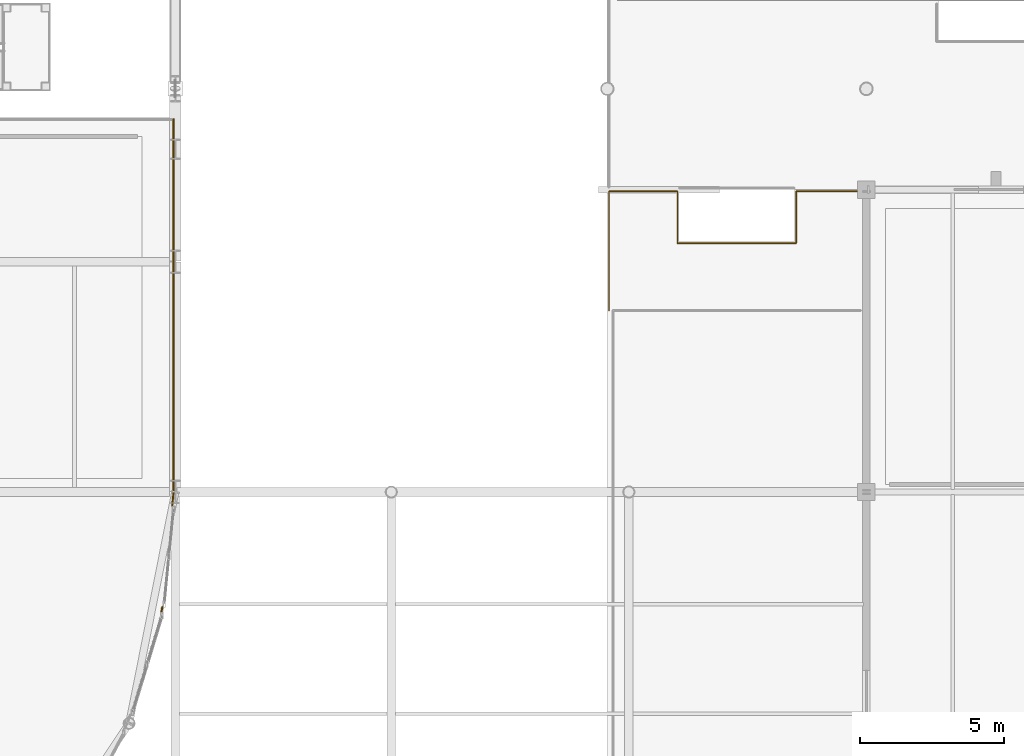
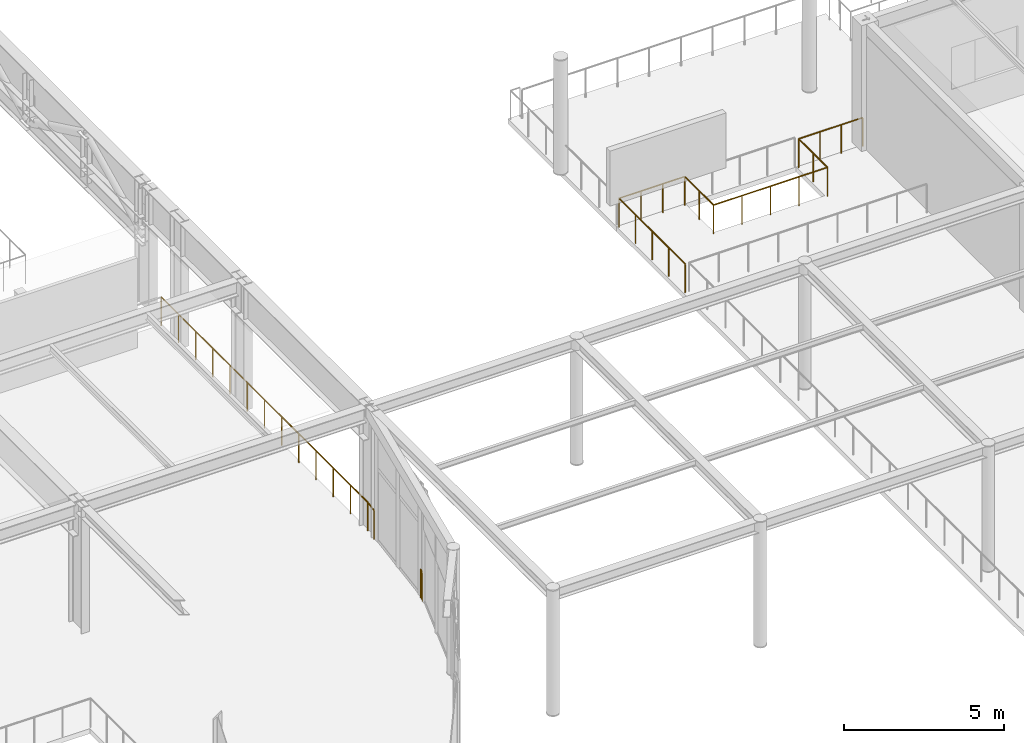
# One storey, part 133 of 143: 3 railings.
"""IFC4 building model written with IfcOpenShell, lengths in metres."""

from ifc_helpers import new_model, si_unit, direction, frame, origin, origin_2d, place, context, subcontext, project, spatial, circle, extrude, material, type_object, element, save


model = new_model("IFC4")

# Units and contexts
model_context = context("Model", 3, precision=1e-05, world=origin(), true_north=direction((0.0, 1.0)))
body_context = subcontext(model_context, "Body", "Model", "MODEL_VIEW")
ifc_project = project(units=[si_unit("LENGTHUNIT", "METRE"), si_unit("AREAUNIT", "SQUARE_METRE"), si_unit("VOLUMEUNIT", "CUBIC_METRE"), si_unit("PLANEANGLEUNIT", "RADIAN"), si_unit("MASSUNIT", "GRAM", prefix="KILO")], contexts=[model_context])

# Site, building, storey
site_placement = place(None, origin())
site = spatial("IfcSite", under=ifc_project, at=site_placement, CompositionType="ELEMENT")
building_placement = place(site_placement, origin())
building = spatial("IfcBuilding", under=site, at=building_placement, Name="Marlcrest Central Station", CompositionType="ELEMENT")
storey_placement = place(building_placement, frame((0.0, 0.0, 4.800048828125)))
storey = spatial("IfcBuildingStorey", under=building, at=storey_placement, Name="L01", CompositionType="ELEMENT", Elevation=4.800048828125)

# Railings
ifc_material = material(Name="Stainless steel and laminated glass concourse balustrade", Category="steel")
railing_type = type_object("IfcRailingType", Name="GR-02", PredefinedType="BALUSTRADE", material=ifc_material)
railing_1_placement = place(storey_placement, frame((144.06005859375, 28.800048828125, 0.0)))
element("IfcRailing", 1, at=railing_1_placement, inside=storey, type_object=railing_type, Name="hr-L01-00337", PredefinedType="BALUSTRADE", context=body_context, shape_type="SweptSolid", body=[
    extrude(circle(Radius=0.02392578125, at=origin_2d()), frame((0.0, 0.0, 1.09619140625), z_axis=(0.0, 1.0, 0.0), x_axis=(-1.0, 0.0, 0.0)), (0.0, 0.0, 1.0), 4.139892578125),
    extrude(circle(Radius=0.02392578125, at=origin_2d()), frame((0.0, 4.139892578125, 1.09619140625), z_axis=(1.0, 0.0, 0.0), x_axis=(0.0, 1.0, 0.0)), (0.0, 0.0, 1.0), 2.3798828125),
    extrude(circle(Radius=0.02392578125, at=origin_2d()), frame((2.3798828125, 4.139892578125, 1.09619140625), z_axis=(0.0, -1.0, 0.0), x_axis=(1.0, 0.0, 0.0)), (0.0, 0.0, 1.0), 1.800048828125),
    extrude(circle(Radius=0.02392578125, at=origin_2d()), frame((2.3798828125, 2.33984375, 1.09619140625), z_axis=(1.0, 0.0, 0.0), x_axis=(0.0, 1.0, 0.0)), (0.0, 0.0, 1.0), 4.1201171875),
    extrude(circle(Radius=0.02392578125, at=origin_2d()), frame((6.5, 2.33984375, 1.09619140625), z_axis=(0.0, 1.0, 0.0), x_axis=(-1.0, 0.0, 0.0)), (0.0, 0.0, 1.0), 1.800048828125),
    extrude(circle(Radius=0.02392578125, at=origin_2d()), frame((6.5, 4.139892578125, 1.09619140625), z_axis=(1.0, 0.0, 0.0), x_axis=(0.0, 1.0, 0.0)), (0.0, 0.0, 1.0), 2.31689453125),
    extrude(circle(Radius=0.02099609375, at=origin_2d()), origin(), (0.0, 0.0, 1.0), 1.072021484375),
    extrude(circle(Radius=0.02099609375, at=origin_2d()), frame((0.0, 1.034912109375, 0.0)), (0.0, 0.0, 1.0), 1.072021484375),
    extrude(circle(Radius=0.02099609375, at=origin_2d()), frame((0.0, 2.06982421875, 0.0)), (0.0, 0.0, 1.0), 1.072021484375),
    extrude(circle(Radius=0.02099609375, at=origin_2d()), frame((0.0, 3.10498046875, 0.0)), (0.0, 0.0, 1.0), 1.072021484375),
    extrude(circle(Radius=0.02099609375, at=origin_2d()), frame((0.0, 4.139892578125, 0.0)), (0.0, 0.0, 1.0), 1.072021484375),
    extrude(circle(Radius=0.02099609375, at=origin_2d()), frame((0.793212890625, 4.139892578125, 0.0)), (0.0, 0.0, 1.0), 1.072021484375),
    extrude(circle(Radius=0.02099609375, at=origin_2d()), frame((1.586669921875, 4.139892578125, 0.0)), (0.0, 0.0, 1.0), 1.072021484375),
    extrude(circle(Radius=0.02099609375, at=origin_2d()), frame((2.3798828125, 4.139892578125, 0.0)), (0.0, 0.0, 1.0), 1.072021484375),
    extrude(circle(Radius=0.02099609375, at=origin_2d()), frame((2.3798828125, 3.23974609375, 0.0)), (0.0, 0.0, 1.0), 1.072021484375),
    extrude(circle(Radius=0.02099609375, at=origin_2d()), frame((2.3798828125, 2.33984375, 0.0)), (0.0, 0.0, 1.0), 1.072021484375),
    extrude(circle(Radius=0.02099609375, at=origin_2d()), frame((3.409912109375, 2.33984375, 0.0)), (0.0, 0.0, 1.0), 1.072021484375),
    extrude(circle(Radius=0.02099609375, at=origin_2d()), frame((4.43994140625, 2.33984375, 0.0)), (0.0, 0.0, 1.0), 1.072021484375),
    extrude(circle(Radius=0.02099609375, at=origin_2d()), frame((5.469970703125, 2.33984375, 0.0)), (0.0, 0.0, 1.0), 1.072021484375),
    extrude(circle(Radius=0.02099609375, at=origin_2d()), frame((6.5, 2.33984375, 0.0)), (0.0, 0.0, 1.0), 1.072021484375),
    extrude(circle(Radius=0.02099609375, at=origin_2d()), frame((6.5, 3.23974609375, 0.0)), (0.0, 0.0, 1.0), 1.072021484375),
    extrude(circle(Radius=0.02099609375, at=origin_2d()), frame((6.5, 4.139892578125, 0.0)), (0.0, 0.0, 1.0), 1.072021484375),
    extrude(circle(Radius=0.02099609375, at=origin_2d()), frame((7.272216796875, 4.139892578125, 0.0)), (0.0, 0.0, 1.0), 1.072021484375),
    extrude(circle(Radius=0.02099609375, at=origin_2d()), frame((8.044677734375, 4.139892578125, 0.0)), (0.0, 0.0, 1.0), 1.072021484375),
    extrude(circle(Radius=0.02099609375, at=origin_2d()), frame((8.81689453125, 4.139892578125, 0.0)), (0.0, 0.0, 1.0), 1.072021484375),
])
railing_2_placement = place(storey_placement, frame((128.93994140625, 35.43994140625, 0.0)))
element("IfcRailing", 2, at=railing_2_placement, inside=storey, type_object=railing_type, Name="hr-L01-00404", PredefinedType="BALUSTRADE", context=body_context, shape_type="SweptSolid", body=[
    extrude(circle(Radius=0.02392578125, at=origin_2d()), frame((0.0, 0.0, 1.09619140625), z_axis=(0.0, -1.0, 0.0), x_axis=(1.0, 0.0, 0.0)), (0.0, 0.0, 1.0), 12.93701171875),
    extrude(circle(Radius=0.02392578125, at=origin_2d()), frame((0.0, -12.93701171875, 1.09619140625), z_axis=(-0.098213699968, -0.995165347638, 0.0), x_axis=(0.995165347638, -0.098213699968, 0.0)), (0.0, 0.0, 1.0), 0.4873046875),
    extrude(circle(Radius=0.02099609375, at=origin_2d()), origin(), (0.0, 0.0, 1.0), 1.072021484375),
    extrude(circle(Radius=0.02099609375, at=origin_2d()), frame((0.0, -1.078125, 0.0)), (0.0, 0.0, 1.0), 1.072021484375),
    extrude(circle(Radius=0.02099609375, at=origin_2d()), frame((0.0, -2.15625, 0.0)), (0.0, 0.0, 1.0), 1.072021484375),
    extrude(circle(Radius=0.02099609375, at=origin_2d()), frame((0.0, -3.234375, 0.0)), (0.0, 0.0, 1.0), 1.072021484375),
    extrude(circle(Radius=0.02099609375, at=origin_2d()), frame((0.0, -4.312255859375, 0.0)), (0.0, 0.0, 1.0), 1.072021484375),
    extrude(circle(Radius=0.02099609375, at=origin_2d()), frame((0.0, -5.390380859375, 0.0)), (0.0, 0.0, 1.0), 1.072021484375),
    extrude(circle(Radius=0.02099609375, at=origin_2d()), frame((0.0, -6.468505859375, 0.0)), (0.0, 0.0, 1.0), 1.072021484375),
    extrude(circle(Radius=0.02099609375, at=origin_2d()), frame((0.0, -7.546630859375, 0.0)), (0.0, 0.0, 1.0), 1.072021484375),
    extrude(circle(Radius=0.02099609375, at=origin_2d()), frame((0.0, -8.624755859375, 0.0)), (0.0, 0.0, 1.0), 1.072021484375),
    extrude(circle(Radius=0.02099609375, at=origin_2d()), frame((0.0, -9.70263671875, 0.0)), (0.0, 0.0, 1.0), 1.072021484375),
    extrude(circle(Radius=0.02099609375, at=origin_2d()), frame((0.0, -10.78076171875, 0.0)), (0.0, 0.0, 1.0), 1.072021484375),
    extrude(circle(Radius=0.02099609375, at=origin_2d()), frame((0.0, -11.85888671875, 0.0)), (0.0, 0.0, 1.0), 1.072021484375),
    extrude(circle(Radius=0.02099609375, at=origin_2d()), frame((0.0, -12.93701171875, 0.0)), (0.0, 0.0, 1.0), 1.072021484375),
    extrude(circle(Radius=0.02099609375, at=origin_2d()), frame((-0.0478515625, -13.421875, 0.0)), (0.0, 0.0, 1.0), 1.072021484375),
])
railing_3_placement = place(storey_placement, frame((128.5458984375, 18.50390625, 0.0)))
element("IfcRailing", 3, at=railing_3_placement, inside=storey, type_object=railing_type, Name="hr-L01-00405", PredefinedType="BALUSTRADE", context=body_context, shape_type="SweptSolid", body=[
    extrude(circle(Radius=0.02392578125, at=origin_2d()), frame((0.0, 0.0, 1.09619140625), z_axis=(-0.0984209217, -0.995144874966, 0.0), x_axis=(0.995144874966, -0.0984209217, 0.0)), (0.0, 0.0, 1.0), 0.08935546875),
    extrude(circle(Radius=0.02392578125, at=origin_2d()), frame((-0.0087890625, -0.0888671875, 1.09619140625), z_axis=(-0.290837119501, -0.956772580042, 0.0), x_axis=(0.956772580042, -0.290837119501, 0.0)), (0.0, 0.0, 1.0), 0.08984375),
    extrude(circle(Radius=0.02099609375, at=origin_2d()), origin(), (0.0, 0.0, 1.0), 1.072021484375),
    extrude(circle(Radius=0.02099609375, at=origin_2d()), frame((-0.0087890625, -0.0888671875, 0.0)), (0.0, 0.0, 1.0), 1.072021484375),
    extrude(circle(Radius=0.02099609375, at=origin_2d()), frame((-0.034912109375, -0.1748046875, 0.0)), (0.0, 0.0, 1.0), 1.072021484375),
])

save(model, "model.ifc")
